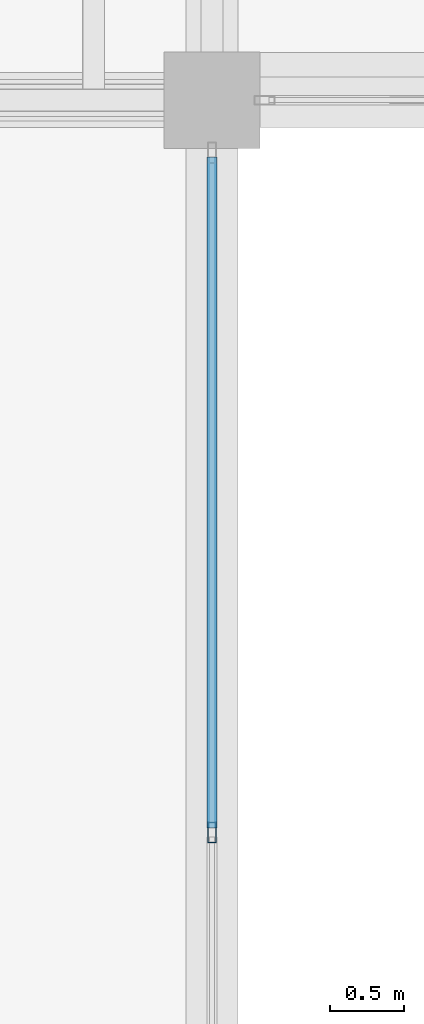
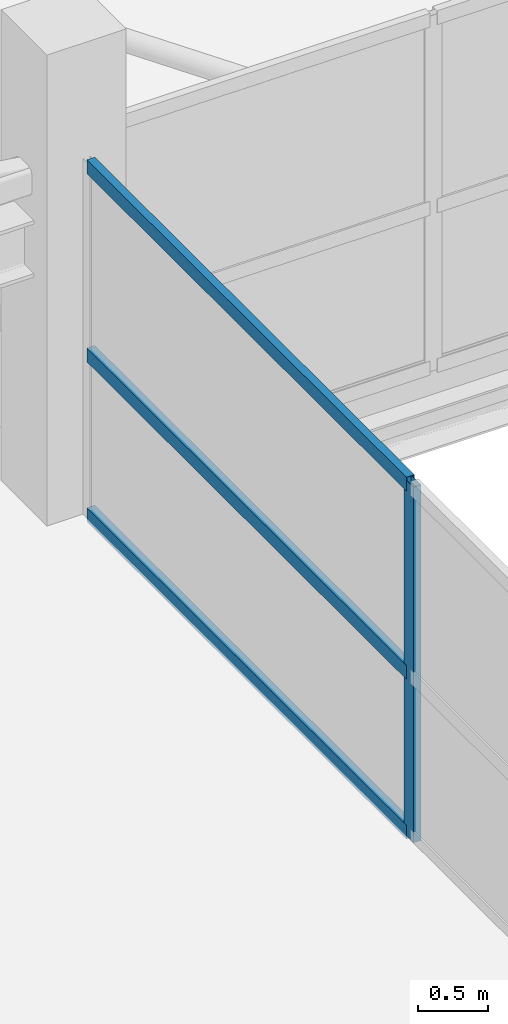
# One storey, part 28 of 70: 4 members, 1 element without a shape of its own.
"""IFC4 building model written with IfcOpenShell, lengths in metres."""

import ifcopenshell
import ifcopenshell.guid

model = None  # the IFC model being written
_history = None  # IfcOwnerHistory: only IFC2X3 demands one
_inside = {}  # id of a spatial element -> (the spatial element, [elements in it])
_under = {}  # id of a project, library or spatial element -> (it, [spatial elements below it])
_declared = {}  # id of a project -> (the project, [libraries it declares])
_typed = {}  # id of a type object -> (the type object, [elements of that type])
_made_of = {}  # id of a material, layer set ... -> (it, [elements and type objects made of it])


def new_model(schema):
    """Start an empty IFC model of exactly this schema.

    Asked for "IFC4X3", IfcOpenShell would pick the latest addendum, in which some entities
    have other attributes; the version numbers below select the first issue.
    IFC2X3 requires an IfcOwnerHistory on every rooted entity: one is made here for all.
    """
    global model, _history
    if schema == "IFC4X3":
        model = ifcopenshell.file(schema_version=(4, 3, 0, 0))
    else:
        model = ifcopenshell.file(schema=schema)
    _inside.clear()
    _under.clear()
    _declared.clear()
    _typed.clear()
    _made_of.clear()
    _history = None
    if model.schema == "IFC2X3":
        org = make("IfcOrganization", Name="unknown")
        user = make(
            "IfcPersonAndOrganization",
            ThePerson=make("IfcPerson", FamilyName="unknown"),
            TheOrganization=org,
        )
        app = make(
            "IfcApplication",
            ApplicationDeveloper=org,
            Version="unknown",
            ApplicationFullName="unknown",
            ApplicationIdentifier="unknown",
        )
        _history = make(
            "IfcOwnerHistory",
            OwningUser=user,
            OwningApplication=app,
            ChangeAction="ADDED",
            CreationDate=0,
        )
    return model


def make(cls, **values):
    """One entity of the class cls with the attributes given. An attribute that is None is left unset."""
    return model.create_entity(
        cls, **{name: value for name, value in values.items() if value is not None}
    )


def rooted(cls, **values):
    """An entity with a GlobalId (a new one), such as an element, a storey or a relation."""
    return make(cls, GlobalId=ifcopenshell.guid.new(), OwnerHistory=_history, **values)


def si_unit(unit_type, name, prefix=None):
    """IfcSIUnit, for example si_unit("LENGTHUNIT", "METRE", prefix="MILLI")."""
    return make("IfcSIUnit", UnitType=unit_type, Prefix=prefix, Name=name)


def assignment(units):
    """IfcUnitAssignment: the units of a project."""
    return None if units is None else make("IfcUnitAssignment", Units=units)


def point(xyz):
    """IfcCartesianPoint."""
    return None if xyz is None else make("IfcCartesianPoint", Coordinates=xyz)


def direction(xyz):
    """IfcDirection."""
    return None if xyz is None else make("IfcDirection", DirectionRatios=xyz)


def frame(location, z_axis=None, x_axis=None):
    """IfcAxis2Placement3D, a coordinate frame: its origin and axes. An axis left out is left unset."""
    return make(
        "IfcAxis2Placement3D",
        Location=point(location),
        Axis=direction(z_axis),
        RefDirection=direction(x_axis),
    )


def frame_2d(location, x_axis=None):
    """IfcAxis2Placement2D, a coordinate frame in the plane: its origin and x axis."""
    return make(
        "IfcAxis2Placement2D", Location=point(location), RefDirection=direction(x_axis)
    )


def origin():
    """The frame at (0, 0, 0) with its axes left unset."""
    return frame((0.0, 0.0, 0.0))


def origin_2d():
    """The frame at (0, 0) in the plane with its x axis left unset."""
    return frame_2d((0.0, 0.0))


def place(relative_to, where):
    """IfcLocalPlacement: puts the frame where relative to a parent placement (None: the world)."""
    return make(
        "IfcLocalPlacement", PlacementRelTo=relative_to, RelativePlacement=where
    )


def context(
    kind, dimensions, precision=None, world=None, true_north=None, identifier=None
):
    """IfcGeometricRepresentationContext, for example the 3D "Model" context."""
    return make(
        "IfcGeometricRepresentationContext",
        ContextIdentifier=identifier,
        ContextType=kind,
        CoordinateSpaceDimension=dimensions,
        Precision=precision,
        WorldCoordinateSystem=world,
        TrueNorth=true_north,
    )


def subcontext(parent, identifier, kind, view, scale=None):
    """IfcGeometricRepresentationSubContext, for example "Body" below "Model"."""
    return make(
        "IfcGeometricRepresentationSubContext",
        ContextIdentifier=identifier,
        ContextType=kind,
        ParentContext=parent,
        TargetScale=scale,
        TargetView=view,
    )


def project(units=None, contexts=None):
    """IfcProject with its units and contexts."""
    return rooted(
        "IfcProject",
        Name="project",
        RepresentationContexts=contexts,
        UnitsInContext=assignment(units),
    )


def spatial(cls, under=None, at=None, **own):
    """A site, building, storey or space (cls), placed at a placement, below another one or the project."""
    s = rooted(cls, ObjectPlacement=at, **own)
    if under is not None:
        _under.setdefault(under.id(), (under, []))[1].append(s)
    return s


def profile(cls, at=None, kind="AREA", **sizes):
    """A parametric profile (cls). Its sizes go by their IFC names, for example OverallWidth=200.0."""
    return make(cls, ProfileType=kind, Position=at, **sizes)


def hollow_rectangle(**sizes):
    """IfcRectangleHollowProfileDef."""
    return profile("IfcRectangleHollowProfileDef", **sizes)


def extrude(swept, where, along, depth):
    """IfcExtrudedAreaSolid: the profile swept, set in the frame where, extruded along a direction by depth."""
    return make(
        "IfcExtrudedAreaSolid",
        SweptArea=swept,
        Position=where,
        ExtrudedDirection=direction(along),
        Depth=depth,
    )


def shape(context_of_items, identifier, shape_type, items):
    """IfcShapeRepresentation: the items that make up one representation, for example the "Body"."""
    return make(
        "IfcShapeRepresentation",
        ContextOfItems=context_of_items,
        RepresentationIdentifier=identifier,
        RepresentationType=shape_type,
        Items=items,
    )


def material(Name=None, Category=None):
    """IfcMaterial."""
    return make("IfcMaterial", Name=Name, Category=Category)


def layer(
    of_material, thickness, ventilated=None, Name=None, Category=None, Priority=None
):
    """IfcMaterialLayer: one layer of a wall or slab, of a material (None: an air gap)."""
    return make(
        "IfcMaterialLayer",
        Material=of_material,
        LayerThickness=thickness,
        IsVentilated=ventilated,
        Name=Name,
        Category=Category,
        Priority=Priority,
    )


def layer_set(layers, Name=None):
    """IfcMaterialLayerSet."""
    return make("IfcMaterialLayerSet", MaterialLayers=layers, LayerSetName=Name)


def material_profile(
    of_material, cross_section, Name=None, Category=None, Priority=None
):
    """IfcMaterialProfile: a cross section and its material."""
    return make(
        "IfcMaterialProfile",
        Name=Name,
        Material=of_material,
        Profile=cross_section,
        Priority=Priority,
        Category=Category,
    )


def profile_set(profiles, Name=None, composite=None):
    """IfcMaterialProfileSet."""
    return make(
        "IfcMaterialProfileSet",
        Name=Name,
        MaterialProfiles=profiles,
        CompositeProfile=composite,
    )


def made_of(thing, what):
    """Note that an element or type object is made of a material, layer set ...; save() writes the relation."""
    if what is not None:
        _made_of.setdefault(what.id(), (what, []))[1].append(thing)
    return thing


def type_object(cls, material=None, **own):
    """A type object (cls), such as IfcWallType, which elements share."""
    return made_of(rooted(cls, **own), material)


def element(
    cls,
    number,
    at=None,
    inside=None,
    cuts=None,
    type_object=None,
    material=None,
    context=None,
    identifier="Body",
    shape_type=None,
    held_by="IfcProductDefinitionShape",
    body=None,
    shapes=None,
    **own,
):
    """One element of the class cls, such as IfcWall. Its Tag is "e" and its number.

    at: its placement. inside: the storey or other place that contains it. cuts: it is an
    opening in that element (IfcRelVoidsElement). A single representation is given by context,
    identifier, shape_type and body (its items); several are given by shapes. held_by: the class
    of the entity that holds the representations. save() writes the other relations.
    """
    e = rooted(cls, Tag="e%d" % number, ObjectPlacement=at, **own)
    if body is not None:
        shapes = [shape(context, identifier, shape_type, body)]
    if shapes is not None:
        e.Representation = make(held_by, Representations=shapes)
    if inside is not None:
        _inside.setdefault(inside.id(), (inside, []))[1].append(e)
    if cuts is not None:
        rooted(
            "IfcRelVoidsElement", RelatingBuildingElement=cuts, RelatedOpeningElement=e
        )
    if type_object is not None:
        _typed.setdefault(type_object.id(), (type_object, []))[1].append(e)
    return made_of(e, material)


def aggregate(whole, parts):
    """IfcRelAggregates: a whole, such as a stair, and the parts it consists of."""
    return rooted("IfcRelAggregates", RelatingObject=whole, RelatedObjects=parts)


def save(model, path):
    """Write the relations noted so far, then the file.

    IfcRelAggregates (storeys below a building ...), IfcRelContainedInSpatialStructure (elements
    in a storey), IfcRelDefinesByType, IfcRelAssociatesMaterial and IfcRelDeclares: one each for
    every whole, place, type object, material and project.
    """
    for whole, parts in _under.values():
        aggregate(whole, parts)
    for where, things in _inside.values():
        rooted(
            "IfcRelContainedInSpatialStructure",
            RelatedElements=things,
            RelatingStructure=where,
        )
    for kind, things in _typed.values():
        rooted("IfcRelDefinesByType", RelatedObjects=things, RelatingType=kind)
    for what, things in _made_of.values():
        rooted("IfcRelAssociatesMaterial", RelatedObjects=things, RelatingMaterial=what)
    for by, libraries in _declared.values():
        rooted("IfcRelDeclares", RelatingContext=by, RelatedDefinitions=libraries)
    model.write(path)


model = new_model("IFC4")

# Units and contexts
model_context = context("Model", 3, precision=1e-05, world=origin(), true_north=direction((0.0, 1.0)))
body_context = subcontext(model_context, "Body", "Model", "MODEL_VIEW")
ifc_project = project(units=[si_unit("LENGTHUNIT", "METRE"), si_unit("AREAUNIT", "SQUARE_METRE"), si_unit("VOLUMEUNIT", "CUBIC_METRE"), si_unit("PLANEANGLEUNIT", "RADIAN"), si_unit("MASSUNIT", "GRAM", prefix="KILO")], contexts=[model_context])

# Site, building, storey
site_placement = place(None, origin())
site = spatial("IfcSite", under=ifc_project, at=site_placement, CompositionType="ELEMENT")
building_placement = place(site_placement, origin())
building = spatial("IfcBuilding", under=site, at=building_placement, Name="Sillaruma Civic Art Gallery", CompositionType="ELEMENT")
storey_placement = place(building_placement, frame((0.0, 0.0, 66.300048828125)))
storey = spatial("IfcBuildingStorey", under=building, at=storey_placement, Name="L13", CompositionType="ELEMENT", Elevation=66.300048828125)

# Curtain wall, members
ifc_material = material(Name="Thermally Broken Extruded Aluminium 6063-T6", Category="aluminium")
ifc_layer = layer(ifc_material, 0.139892578125, Name="Thermally Broken Extruded Aluminium 6063-T6")
ifc_layer_set = layer_set([ifc_layer], Name="Thermally Broken Extruded Aluminium 6063-T6")
curtain_wall_type = type_object("IfcCurtainWallType", Name="CW-UNI-105", PredefinedType="NOTDEFINED", material=ifc_layer_set)
curtain_wall_placement = place(storey_placement, origin())
curtain_wall = element("IfcCurtainWall", 1, at=curtain_wall_placement, inside=storey, type_object=curtain_wall_type, Name="Unitised Curtain Wall CW-105 (CW-L13-WBE-5)", PredefinedType="NOTDEFINED")
ifc_material_profile_1 = material_profile(ifc_material, hollow_rectangle(XDim=0.06005859375, YDim=0.139892578125, WallThickness=0.00341796875, at=origin_2d()), Name="CWM60x140")
ifc_profile_set_1 = profile_set([ifc_material_profile_1], Name="Thermally Broken Extruded Aluminium 6063-T6")
member_type_1 = type_object("IfcMemberType", Name="MEM-MUL-CWM60x140", PredefinedType="MULLION", material=ifc_profile_set_1)
member_1_placement = place(storey_placement, frame((92.0, 64.35009765625, 0.0), z_axis=(0.0, 0.0, 1.0), x_axis=(-1.0, 0.0, 0.0)))
member_1 = element("IfcMember", 2, at=member_1_placement, type_object=member_type_1, Name="CW-105 mullion 2", PredefinedType="MULLION", context=body_context, shape_type="SweptSolid", body=[
    extrude(hollow_rectangle(XDim=0.06005859375, YDim=0.139892578125, WallThickness=0.00341796875, at=origin_2d()), origin(), (0.0, 0.0, 1.0), 3.079833984375),
])
ifc_material_profile_2 = material_profile(ifc_material, hollow_rectangle(XDim=0.06494140625, YDim=0.1201171875, WallThickness=0.00341796875, at=origin_2d()), Name="CWT65x120")
ifc_profile_set_2 = profile_set([ifc_material_profile_2], Name="Thermally Broken Extruded Aluminium 6063-T6")
member_type_2 = type_object("IfcMemberType", Name="MEM-TRN-CWT65x120", PredefinedType="USERDEFINED", material=ifc_profile_set_2)
member_2_placement = place(storey_placement, frame((92.0, 64.3798828125, 0.032470703125), z_axis=(0.0, 1.0, 0.0), x_axis=(-1.0, 0.0, 0.0)))
member_2 = element("IfcMember", 3, at=member_2_placement, type_object=member_type_2, Name="CW-105 transom 2.1", ObjectType="TRANSOM", PredefinedType="USERDEFINED", context=body_context, shape_type="SweptSolid", body=[
    extrude(hollow_rectangle(XDim=0.06494140625, YDim=0.1201171875, WallThickness=0.00341796875, at=origin_2d()), origin(), (0.0, 0.0, 1.0), 4.53515625),
])
member_3_placement = place(storey_placement, frame((92.0, 64.3798828125, 1.416748046875), z_axis=(0.0, 1.0, 0.0), x_axis=(-1.0, 0.0, 0.0)))
member_3 = element("IfcMember", 4, at=member_3_placement, type_object=member_type_2, Name="CW-105 transom 2.2", ObjectType="TRANSOM", PredefinedType="USERDEFINED", context=body_context, shape_type="SweptSolid", body=[
    extrude(hollow_rectangle(XDim=0.06494140625, YDim=0.1201171875, WallThickness=0.00341796875, at=origin_2d()), origin(), (0.0, 0.0, 1.0), 4.53515625),
])
member_4_placement = place(storey_placement, frame((92.0, 64.3798828125, 3.04736328125), z_axis=(0.0, 1.0, 0.0), x_axis=(-1.0, 0.0, 0.0)))
member_4 = element("IfcMember", 5, at=member_4_placement, type_object=member_type_2, Name="CW-105 transom 2.3", ObjectType="TRANSOM", PredefinedType="USERDEFINED", context=body_context, shape_type="SweptSolid", body=[
    extrude(hollow_rectangle(XDim=0.06494140625, YDim=0.1201171875, WallThickness=0.00341796875, at=origin_2d()), origin(), (0.0, 0.0, 1.0), 4.53515625),
])
aggregate(curtain_wall, [member_1, member_2, member_3, member_4])

save(model, "model.ifc")
